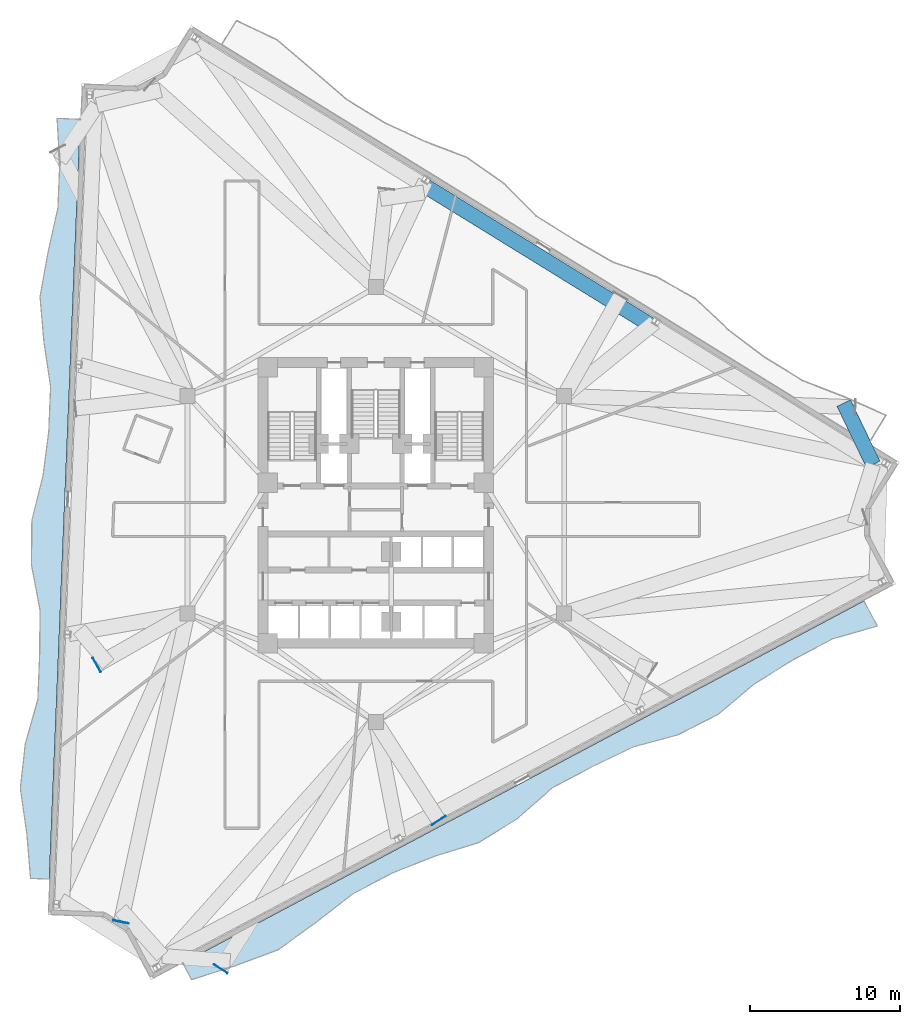
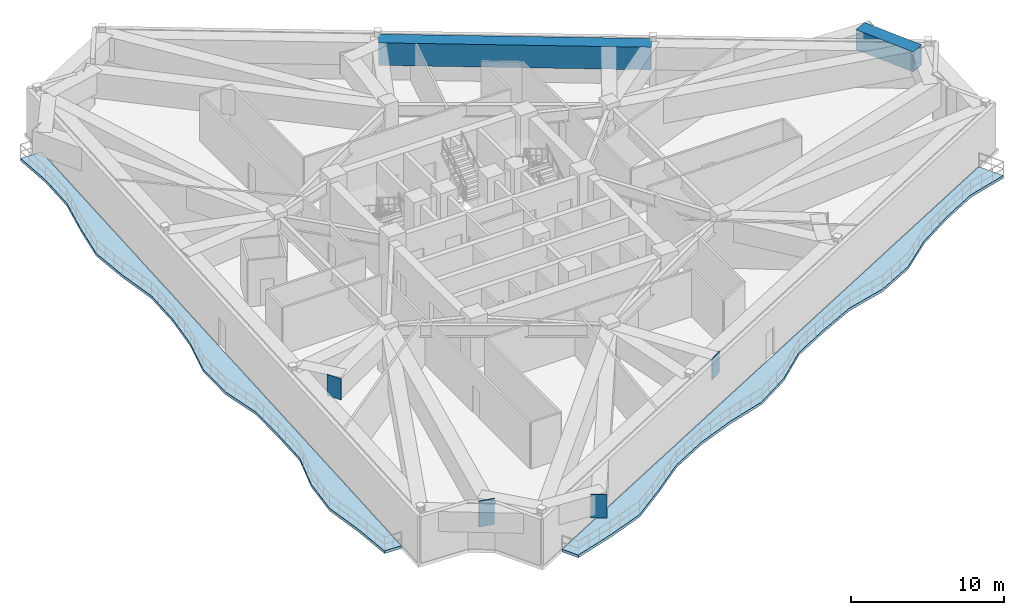
# One storey, part 4 of 14: 4 plates, 2 beams, 2 slabs.
"""IFC4 building model written with IfcOpenShell, lengths in metres."""

from ifc_helpers import new_model, si_unit, direction, frame, origin, origin_2d, place, context, subcontext, project, spatial, polyline, rectangle, hollow_rectangle, outline, extrude, material, layer, layer_set, material_profile, profile_set, type_object, element, save


model = new_model("IFC4")

# Units and contexts
model_context = context("Model", 3, precision=1e-05, world=origin(), true_north=direction((0.0, 1.0)))
body_context = subcontext(model_context, "Body", "Model", "MODEL_VIEW")
ifc_project = project(units=[si_unit("LENGTHUNIT", "METRE"), si_unit("AREAUNIT", "SQUARE_METRE"), si_unit("VOLUMEUNIT", "CUBIC_METRE"), si_unit("PLANEANGLEUNIT", "RADIAN"), si_unit("MASSUNIT", "GRAM", prefix="KILO")], contexts=[model_context])

# Site, building, storey
site_placement = place(None, origin())
site = spatial("IfcSite", under=ifc_project, at=site_placement, CompositionType="ELEMENT")
building_placement = place(site_placement, origin())
building = spatial("IfcBuilding", under=site, at=building_placement, Name="Apsidion Concourse Tower", CompositionType="ELEMENT")
storey_placement = place(building_placement, frame((0.0, 0.0, 190.10009765625)))
storey = spatial("IfcBuildingStorey", under=building, at=storey_placement, Name="L44", CompositionType="ELEMENT", Elevation=190.10009765625)

# Beams
ifc_material_1 = material(Name="Structural steel ASTM A572 Grade 50", Category="steel")
ifc_material_profile_1 = material_profile(ifc_material_1, hollow_rectangle(XDim=1.0, YDim=1.60009765625, WallThickness=0.074951171875, at=origin_2d()), Name="BOX1600X1000X75")
ifc_profile_set_1 = profile_set([ifc_material_profile_1], Name="Structural steel ASTM A572 Grade 50")
beam_type_1 = type_object("IfcBeamType", Name="BM-TR-1600", PredefinedType="USERDEFINED", material=ifc_profile_set_1)
beam_1_placement = place(storey_placement, frame((33.163818359375, 2.68310546875, 2.89990234375), z_axis=(-0.432811709721, 0.901484344805, 0.0), x_axis=(-0.901484344805, -0.432811709721, 0.0)))
element("IfcBeam", 1, at=beam_1_placement, inside=storey, type_object=beam_type_1, Name="L44 Block-Step Perimeter Transfer Bridge NBR-09", ObjectType="GIRDER", PredefinedType="USERDEFINED", context=body_context, shape_type="SweptSolid", body=[
    extrude(hollow_rectangle(XDim=1.0, YDim=1.60009765625, WallThickness=0.074951171875, at=origin_2d()), origin(), (0.0, 0.0, 1.0), 4.52734375),
])
ifc_material_profile_2 = material_profile(ifc_material_1, hollow_rectangle(XDim=1.0, YDim=1.800048828125, WallThickness=0.080078125, at=origin_2d()), Name="BOX1800X1000X80")
ifc_profile_set_2 = profile_set([ifc_material_profile_2], Name="Structural steel ASTM A572 Grade 50")
beam_type_2 = type_object("IfcBeamType", Name="BM-TR-1800", PredefinedType="USERDEFINED", material=ifc_profile_set_2)
beam_2_placement = place(storey_placement, frame((18.4111328125, 11.921875, 2.7998046875), z_axis=(-0.85125141174, 0.524758071887, 0.0), x_axis=(-0.524758071887, -0.85125141174, 0.0)))
element("IfcBeam", 2, at=beam_2_placement, inside=storey, type_object=beam_type_2, Name="L44 Perimeter Spandrel Girder SP-10", ObjectType="GIRDER", PredefinedType="USERDEFINED", context=body_context, shape_type="SweptSolid", body=[
    extrude(hollow_rectangle(XDim=1.0, YDim=1.800048828125, WallThickness=0.080078125, at=origin_2d()), origin(), (0.0, 0.0, 1.0), 17.851318359375),
])

# Plates
ifc_layer_1 = layer(ifc_material_1, 0.034912109375)
ifc_layer_set_1 = layer_set([ifc_layer_1], Name="Structural steel ASTM A572 Grade 50")
plate_type = type_object("IfcPlateType", Name="PL-ENDCAP-35", PredefinedType="USERDEFINED", material=ifc_layer_set_1)
plate_1_placement = place(storey_placement, frame((-18.609375, -10.6923828125, 2.06005859375), z_axis=(0.0, 0.0, 1.0), x_axis=(-0.869149881167, -0.494548768138, 0.0)))
element("IfcPlate", 3, at=plate_1_placement, inside=storey, type_object=plate_type, Name="L44 Radial Transfer Girder End-Cap Plate NTRCAP-03", ObjectType="FLANGE_PLATE", PredefinedType="USERDEFINED", context=body_context, shape_type="SweptSolid", body=[
    extrude(rectangle(XDim=0.044921875, YDim=1.080078125, at=origin_2d()), origin(), (0.0, 0.0, 1.0), 1.679931640625),
])
plate_2_placement = place(storey_placement, frame((-16.992919921875, -27.83203125, 1.659912109375), z_axis=(0.0, 0.0, 1.0), x_axis=(-0.210471759821, -0.977599937765, 0.0)))
element("IfcPlate", 4, at=plate_2_placement, inside=storey, type_object=plate_type, Name="L44 Radial Transfer Girder End-Cap Plate NTRCAP-04", ObjectType="FLANGE_PLATE", PredefinedType="USERDEFINED", context=body_context, shape_type="SweptSolid", body=[
    extrude(rectangle(XDim=0.044921875, YDim=1.080078125, at=origin_2d()), origin(), (0.0, 0.0, 1.0), 2.080078125),
])
plate_3_placement = place(storey_placement, frame((-10.339599609375, -30.9677734375, 1.85986328125), z_axis=(0.0, 0.0, 1.0), x_axis=(-0.531694248471, -0.846936376679, 0.0)))
element("IfcPlate", 5, at=plate_3_placement, inside=storey, type_object=plate_type, Name="L44 Radial Transfer Girder End-Cap Plate NTRCAP-05", ObjectType="FLANGE_PLATE", PredefinedType="USERDEFINED", context=body_context, shape_type="SweptSolid", body=[
    extrude(rectangle(XDim=0.044921875, YDim=1.080078125, at=origin_2d()), origin(), (0.0, 0.0, 1.0), 1.8798828125),
])
plate_4_placement = place(storey_placement, frame((4.1943359375, -21.065185546875, 2.06005859375), z_axis=(0.0, 0.0, 1.0), x_axis=(0.53832960413, -0.842734381236, 0.0)))
element("IfcPlate", 6, at=plate_4_placement, inside=storey, type_object=plate_type, Name="L44 Radial Transfer Girder End-Cap Plate NTRCAP-06", ObjectType="FLANGE_PLATE", PredefinedType="USERDEFINED", context=body_context, shape_type="SweptSolid", body=[
    extrude(rectangle(XDim=0.044921875, YDim=1.080078125, at=origin_2d()), origin(), (0.0, 0.0, 1.0), 1.679931640625),
])

# Slabs
ifc_material_2 = material(Name="Concrete C50/60", Category="concrete")
ifc_layer_2 = layer(ifc_material_2, 0.219970703125)
ifc_layer_set_2 = layer_set([ifc_layer_2], Name="Concrete C50/60")
slab_type = type_object("IfcSlabType", Name="SL-BAL-220", PredefinedType="FLOOR", material=ifc_layer_set_2)
slab_1_placement = place(storey_placement, frame((0.0, 0.0, -0.22021484375)))
element("IfcSlab", 7, at=slab_1_placement, inside=storey, type_object=slab_type, Name="L44 Face 1 Rippling Balcony Slab", PredefinedType="FLOOR", context=body_context, shape_type="SweptSolid", body=[
    extrude(outline(polyline([(-19.7080078125, 25.690185546875), (-19.82958984375, 22.709716796875), (-19.951416015625, 19.729248046875), (-20.0732421875, 16.748779296875), (-20.19482421875, 13.768310546875), (-20.316650390625, 10.787841796875), (-20.4384765625, 7.807373046875), (-20.56005859375, 4.826904296875), (-20.681884765625, 1.84619140625), (-20.8037109375, -1.13427734375), (-20.92529296875, -4.11474609375), (-21.047119140625, -7.09521484375), (-21.168701171875, -10.07568359375), (-21.29052734375, -13.05615234375), (-21.412109375, -16.03662109375), (-21.533935546875, -19.01708984375), (-21.65576171875, -21.99755859375), (-21.777587890625, -24.97802734375), (-23.0263671875, -24.927001953125), (-23.273681640625, -21.931396484375), (-23.70458984375, -18.928466796875), (-23.375244140625, -15.95654296875), (-22.53955078125, -13.005126953125), (-22.417724609375, -10.024658203125), (-22.39208984375, -7.040283203125), (-22.962890625, -4.031494140625), (-22.936279296875, -1.047119140625), (-22.19580078125, 1.908203125), (-21.80908203125, 4.877685546875), (-21.687255859375, 7.8583984375), (-22.1337890625, 10.862060546875), (-22.392822265625, 13.85791015625), (-21.8583984375, 16.821533203125), (-21.200439453125, 19.7802734375), (-21.07861328125, 22.7607421875), (-21.256591796875, 25.75341796875), (-19.7080078125, 25.690185546875)])), origin(), (0.0, 0.0, 1.0), 0.22021484375),
])
slab_2_placement = place(storey_placement, frame((0.0, 0.0, -0.22021484375)))
element("IfcSlab", 8, at=slab_2_placement, inside=storey, type_object=slab_type, Name="L44 Face 2 Rippling Balcony Slab", PredefinedType="FLOOR", context=body_context, shape_type="SweptSolid", body=[
    extrude(outline(polyline([(-12.8740234375, -30.578369140625), (-10.2021484375, -29.15771484375), (-7.530029296875, -27.73681640625), (-4.858154296875, -26.316162109375), (-2.18603515625, -24.8955078125), (0.48583984375, -23.474609375), (3.15771484375, -22.053955078125), (5.829833984375, -20.63330078125), (8.501708984375, -19.212646484375), (11.173583984375, -17.791748046875), (13.845703125, -16.37109375), (16.517578125, -14.950439453125), (19.189697265625, -13.52978515625), (21.861572265625, -12.10888671875), (24.53369140625, -10.688232421875), (27.20556640625, -9.267578125), (29.877685546875, -7.8466796875), (32.549560546875, -6.426025390625), (33.44140625, -8.103271484375), (30.46435546875, -8.950439453125), (27.79248046875, -10.37109375), (25.217529296875, -11.974609375), (22.853271484375, -13.973876953125), (20.157958984375, -15.35107421875), (17.1611328125, -16.16064453125), (14.4326171875, -17.474853515625), (11.760498046875, -18.8955078125), (9.4267578125, -20.9521484375), (6.84716796875, -22.54638671875), (3.904296875, -23.4580078125), (1.07275390625, -24.578369140625), (-1.599365234375, -25.9990234375), (-4.0224609375, -27.887939453125), (-6.497314453125, -29.67919921875), (-9.354736328125, -30.751220703125), (-12.287109375, -31.681884765625), (-12.8740234375, -30.578369140625)])), origin(), (0.0, 0.0, 1.0), 0.22021484375),
])

save(model, "model.ifc")
